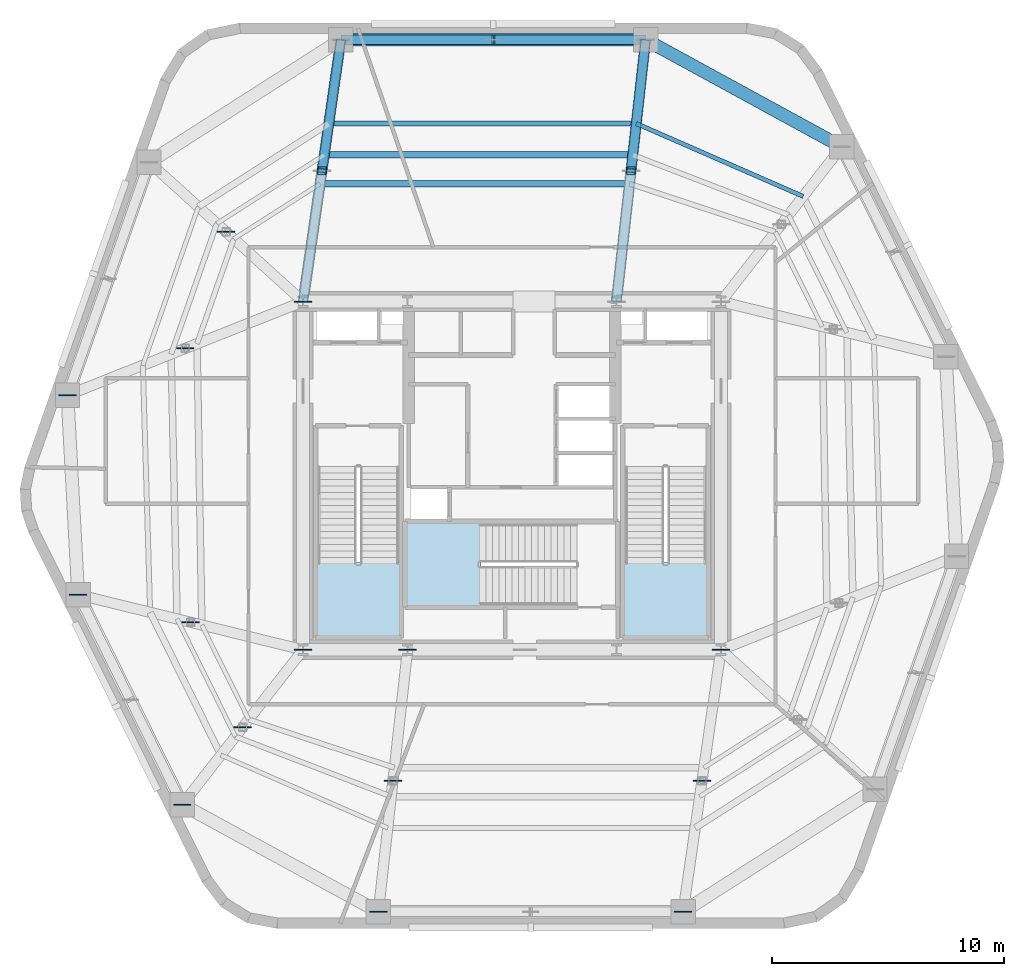
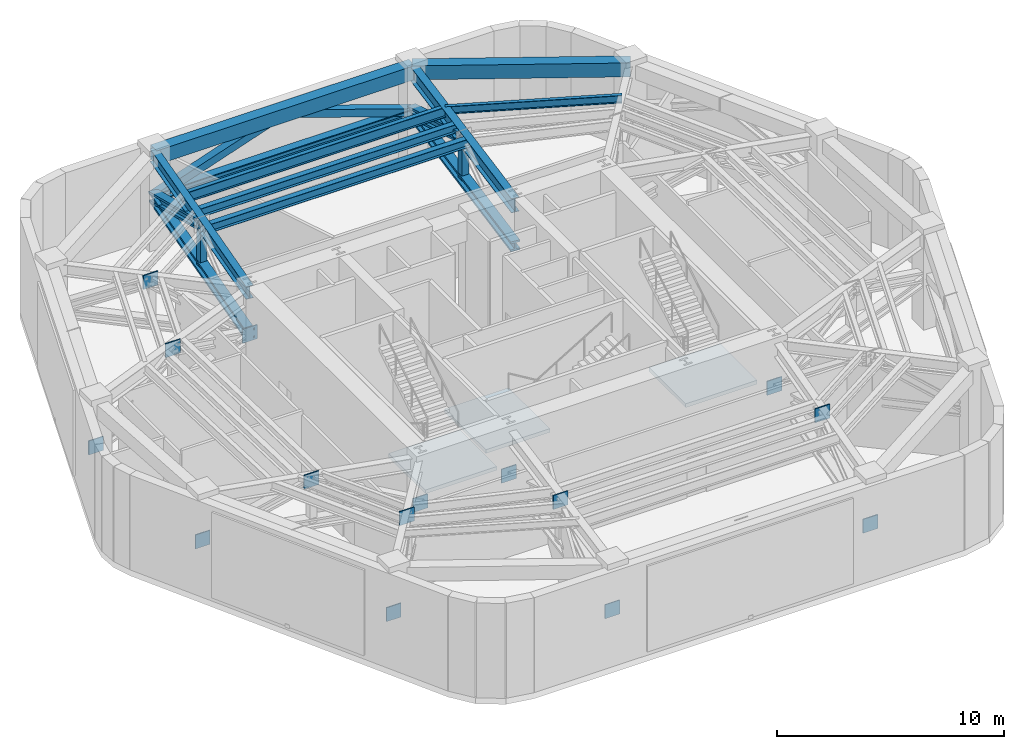
# One storey, part 4 of 10: 15 plates, 9 members, 8 beams, 3 slabs, 3 elements without a shape of their own.
"""IFC4 building model written with IfcOpenShell, lengths in metres."""

from ifc_helpers import new_model, si_unit, direction, frame, origin, origin_2d, place, context, subcontext, project, spatial, polyline, rectangle, hollow_rectangle, i_section, outline, extrude, material, layer, layer_set, material_profile, profile_set, type_object, element, aggregate, save


model = new_model("IFC4")

# Units and contexts
model_context = context("Model", 3, precision=1e-05, world=origin(), true_north=direction((0.0, 1.0)))
body_context = subcontext(model_context, "Body", "Model", "MODEL_VIEW")
ifc_project = project(units=[si_unit("LENGTHUNIT", "METRE"), si_unit("AREAUNIT", "SQUARE_METRE"), si_unit("VOLUMEUNIT", "CUBIC_METRE"), si_unit("PLANEANGLEUNIT", "RADIAN"), si_unit("MASSUNIT", "GRAM", prefix="KILO")], contexts=[model_context])

# Site, building, storey
site_placement = place(None, origin())
site = spatial("IfcSite", under=ifc_project, at=site_placement, CompositionType="ELEMENT")
building_placement = place(site_placement, origin())
building = spatial("IfcBuilding", under=site, at=building_placement, Name="Kilnhurst Terrace Hotel", CompositionType="ELEMENT")
storey_placement = place(building_placement, frame((0.0, 0.0, 170.199951171875)))
storey = spatial("IfcBuildingStorey", under=building, at=storey_placement, Name="L42", CompositionType="ELEMENT", Elevation=170.199951171875)

# Beams
ifc_material_1 = material(Name="Concrete C50/60", Category="concrete")
ifc_material_profile_1 = material_profile(ifc_material_1, rectangle(XDim=0.550048828125, YDim=0.75, at=origin_2d()), Name="RC550X750")
ifc_profile_set_1 = profile_set([ifc_material_profile_1], Name="Concrete C50/60")
beam_type_1 = type_object("IfcBeamType", Name="BM-SPN-550X750", PredefinedType="SPANDREL", material=ifc_profile_set_1)
beam_1_placement = place(storey_placement, frame((14.2041015625, 14.166015625, 4.72509765625), z_axis=(-0.87766189723, 0.479280287672, 0.0), x_axis=(-0.479280287672, -0.87766189723, 0.0)))
element("IfcBeam", 1, at=beam_1_placement, inside=storey, type_object=beam_type_1, Name="L42 Perimeter Spandrel Beam 6", PredefinedType="SPANDREL", context=body_context, shape_type="SweptSolid", body=[
    extrude(rectangle(XDim=0.550048828125, YDim=0.75, at=origin_2d()), origin(), (0.0, 0.0, 1.0), 9.626953125),
])
beam_2_placement = place(storey_placement, frame((5.7548828125, 18.780029296875, 4.72509765625), z_axis=(-1.0, 0.0, 0.0), x_axis=(0.0, -1.0, 0.0)))
element("IfcBeam", 2, at=beam_2_placement, inside=storey, type_object=beam_type_1, Name="L42 Perimeter Spandrel Beam 7", PredefinedType="SPANDREL", context=body_context, shape_type="SweptSolid", body=[
    extrude(rectangle(XDim=0.550048828125, YDim=0.75, at=origin_2d()), origin(), (0.0, 0.0, 1.0), 13.123779296875),
])
ifc_material_2 = material(Name="Steel ASTM A992 Grade 50", Category="steel")
ifc_material_profile_2 = material_profile(ifc_material_2, i_section(OverallWidth=0.354736328125, OverallDepth=0.695556640625, WebThickness=0.015380859375, FlangeThickness=0.025146484375, at=origin_2d()), Name="W27X146")
ifc_profile_set_2 = profile_set([ifc_material_profile_2], Name="Steel ASTM A992 Grade 50")
beam_type_2 = type_object("IfcBeamType", Name="BM-STL-W27X146", PredefinedType="BEAM", material=ifc_profile_set_2)
beam_3_placement = place(storey_placement, frame((-9.0, 7.5, 4.751953125), z_axis=(0.143112538238, 0.989706421824, 0.0), x_axis=(-0.989706421824, 0.143112538238, 0.0)))
element("IfcBeam", 3, at=beam_3_placement, inside=storey, type_object=beam_type_2, Name="L42 Radial Floor Beam 8", PredefinedType="BEAM", context=body_context, shape_type="SweptSolid", body=[
    extrude(i_section(OverallWidth=0.354736328125, OverallDepth=0.695556640625, WebThickness=0.015380859375, FlangeThickness=0.025146484375, at=origin_2d()), origin(), (0.0, 0.0, 1.0), 11.3974609375),
])
ifc_material_profile_3 = material_profile(ifc_material_2, i_section(OverallWidth=0.380615234375, OverallDepth=0.773193359375, WebThickness=0.0166015625, FlangeThickness=0.027099609375, at=origin_2d()), Name="W30X173")
ifc_profile_set_3 = profile_set([ifc_material_profile_3], Name="Steel ASTM A992 Grade 50")
beam_type_3 = type_object("IfcBeamType", Name="BM-STL-W30X173", PredefinedType="BEAM", material=ifc_profile_set_3)
beam_4_placement = place(storey_placement, frame((4.5, 7.5, 4.713134765625), z_axis=(0.110566099441, 0.993868772854, 0.0), x_axis=(-0.993868772854, 0.110566099441, 0.0)))
element("IfcBeam", 4, at=beam_4_placement, inside=storey, type_object=beam_type_3, Name="L42 Radial Floor Beam 7", PredefinedType="BEAM", context=body_context, shape_type="SweptSolid", body=[
    extrude(i_section(OverallWidth=0.380615234375, OverallDepth=0.773193359375, WebThickness=0.0166015625, FlangeThickness=0.027099609375, at=origin_2d()), origin(), (0.0, 0.0, 1.0), 11.349609375),
])
ifc_material_profile_4 = material_profile(ifc_material_2, i_section(OverallWidth=0.180908203125, OverallDepth=0.417236328125, WebThickness=0.010986328125, FlangeThickness=0.018310546875, at=origin_2d()), Name="W16X57")
ifc_profile_set_4 = profile_set([ifc_material_profile_4], Name="Steel ASTM A992 Grade 50")
beam_type_4 = type_object("IfcBeamType", Name="JST-STL-W16X57", PredefinedType="JOIST", material=ifc_profile_set_4)
beam_5_placement = place(storey_placement, frame((12.538818359375, 12.032958984375, 4.89111328125), z_axis=(-0.916443679054, 0.400163695407, 0.0), x_axis=(-0.400163695407, -0.916443679054, 0.0)))
element("IfcBeam", 5, at=beam_5_placement, inside=storey, type_object=beam_type_4, Name="L42 Secondary Floor Steel Joist OUT.6", PredefinedType="JOIST", context=body_context, shape_type="SweptSolid", body=[
    extrude(i_section(OverallWidth=0.180908203125, OverallDepth=0.417236328125, WebThickness=0.010986328125, FlangeThickness=0.018310546875, at=origin_2d()), origin(), (0.0, 0.0, 1.0), 7.84033203125),
])
ifc_material_profile_5 = material_profile(ifc_material_2, i_section(OverallWidth=0.279296875, OverallDepth=0.462890625, WebThickness=0.0107421875, FlangeThickness=0.017333984375, at=origin_2d()), Name="W18X76")
ifc_profile_set_5 = profile_set([ifc_material_profile_5], Name="Steel ASTM A992 Grade 50")
beam_type_5 = type_object("IfcBeamType", Name="JST-STL-W18X76", PredefinedType="JOIST", material=ifc_profile_set_5)
beam_6_placement = place(storey_placement, frame((5.064697265625, 12.575927734375, 4.8681640625), z_axis=(-1.0, 0.0, 0.0), x_axis=(0.0, -1.0, 0.0)))
element("IfcBeam", 6, at=beam_6_placement, inside=storey, type_object=beam_type_5, Name="L42 Secondary Floor Steel Joist IN.7", PredefinedType="JOIST", context=body_context, shape_type="SweptSolid", body=[
    extrude(i_section(OverallWidth=0.279296875, OverallDepth=0.462890625, WebThickness=0.0107421875, FlangeThickness=0.017333984375, at=origin_2d()), origin(), (0.0, 0.0, 1.0), 13.330810546875),
])
beam_7_placement = place(storey_placement, frame((5.202880859375, 13.81689453125, 4.8681640625), z_axis=(-1.0, 0.0, 0.0), x_axis=(0.0, -1.0, 0.0)))
element("IfcBeam", 7, at=beam_7_placement, inside=storey, type_object=beam_type_5, Name="L42 Secondary Floor Steel Joist MID.7", PredefinedType="JOIST", context=body_context, shape_type="SweptSolid", body=[
    extrude(i_section(OverallWidth=0.279296875, OverallDepth=0.462890625, WebThickness=0.0107421875, FlangeThickness=0.017333984375, at=origin_2d()), origin(), (0.0, 0.0, 1.0), 13.28955078125),
])
ifc_material_profile_6 = material_profile(ifc_material_2, i_section(OverallWidth=0.2138671875, OverallDepth=0.549072265625, WebThickness=0.0146484375, FlangeThickness=0.023681640625, at=origin_2d()), Name="W21X93")
ifc_profile_set_6 = profile_set([ifc_material_profile_6], Name="Steel ASTM A992 Grade 50")
beam_type_6 = type_object("IfcBeamType", Name="JST-STL-W21X93", PredefinedType="JOIST", material=ifc_profile_set_6)
beam_8_placement = place(storey_placement, frame((5.353515625, 15.17041015625, 4.824951171875), z_axis=(-1.0, 0.0, 0.0), x_axis=(0.0, -1.0, 0.0)))
element("IfcBeam", 8, at=beam_8_placement, inside=storey, type_object=beam_type_6, Name="L42 Secondary Floor Steel Joist OUT.7", PredefinedType="JOIST", context=body_context, shape_type="SweptSolid", body=[
    extrude(i_section(OverallWidth=0.2138671875, OverallDepth=0.549072265625, WebThickness=0.0146484375, FlangeThickness=0.023681640625, at=origin_2d()), origin(), (0.0, 0.0, 1.0), 13.244384765625),
])

# Members
ifc_material_3 = material(Name="Steel ASTM A500 Grade C", Category="steel")
ifc_material_profile_7 = material_profile(ifc_material_3, hollow_rectangle(XDim=0.39990234375, YDim=0.39990234375, WallThickness=0.01611328125, at=origin_2d()), Name="HSS400X400X16")
ifc_profile_set_7 = profile_set([ifc_material_profile_7], Name="Steel ASTM A500 Grade C")
member_type_1 = type_object("IfcMemberType", Name="MEM-BLT-HSS-400", PredefinedType="BRACE", material=ifc_profile_set_7)
member_1_placement = place(storey_placement, frame((5.7548828125, 18.780029296875, 2.52001953125), z_axis=(-0.946817613488, 0.0, 0.321770736377), x_axis=(0.0, -1.0, 0.0)))
element("IfcMember", 9, at=member_1_placement, inside=storey, type_object=member_type_1, Name="L42 Belt Truss Left Diagonal 4", PredefinedType="BRACE", context=body_context, shape_type="SweptSolid", body=[
    extrude(hollow_rectangle(XDim=0.39990234375, YDim=0.39990234375, WallThickness=0.01611328125, at=origin_2d()), origin(), (0.0, 0.0, 1.0), 6.930419921875),
])
member_2_placement = place(storey_placement, frame((-7.368896484375, 18.780029296875, 2.52001953125), z_axis=(0.946821260666, 0.0, 0.321760004276), x_axis=(0.0, 1.0, 0.0)))
element("IfcMember", 10, at=member_2_placement, inside=storey, type_object=member_type_1, Name="L42 Belt Truss Right Diagonal 4", PredefinedType="BRACE", context=body_context, shape_type="SweptSolid", body=[
    extrude(hollow_rectangle(XDim=0.39990234375, YDim=0.39990234375, WallThickness=0.01611328125, at=origin_2d()), origin(), (0.0, 0.0, 1.0), 6.9306640625),
])
ifc_material_profile_8 = material_profile(ifc_material_2, i_section(OverallWidth=0.40625, OverallDepth=0.416015625, WebThickness=0.02978515625, FlangeThickness=0.048095703125, at=origin_2d()), Name="W14X257")
ifc_profile_set_8 = profile_set([ifc_material_profile_8], Name="Steel ASTM A992 Grade 50")
member_type_2 = type_object("IfcMemberType", Name="MEM-CHD-W14X257", PredefinedType="CHORD", material=ifc_profile_set_8)
member_3_placement = place(storey_placement, frame((5.7548828125, 18.780029296875, 2.52001953125), z_axis=(-1.0, 0.0, 0.0), x_axis=(0.0, -1.0, 0.0)))
element("IfcMember", 11, at=member_3_placement, inside=storey, type_object=member_type_2, Name="L42 Belt Truss Bottom Chord 4", PredefinedType="CHORD", context=body_context, shape_type="SweptSolid", body=[
    extrude(i_section(OverallWidth=0.40625, OverallDepth=0.416015625, WebThickness=0.02978515625, FlangeThickness=0.048095703125, at=origin_2d()), origin(), (0.0, 0.0, 1.0), 13.123779296875),
])
ifc_material_profile_9 = material_profile(ifc_material_2, i_section(OverallWidth=0.44189453125, OverallDepth=0.531494140625, WebThickness=0.06591796875, FlangeThickness=0.105712890625, at=origin_2d()), Name="W14X605")
ifc_profile_set_9 = profile_set([ifc_material_profile_9], Name="Steel ASTM A992 Grade 50")
member_type_3 = type_object("IfcMemberType", Name="MEM-CHD-W14X605", PredefinedType="CHORD", material=ifc_profile_set_9)
member_4_placement = place(storey_placement, frame((4.5, 7.5, 2.52001953125), z_axis=(0.110566099441, 0.993868772854, 0.0), x_axis=(-0.993868772854, 0.110566099441, 0.0)))
element("IfcMember", 12, at=member_4_placement, inside=storey, type_object=member_type_3, Name="L42 Outrigger Bottom Chord 7", PredefinedType="CHORD", context=body_context, shape_type="SweptSolid", body=[
    extrude(i_section(OverallWidth=0.44189453125, OverallDepth=0.531494140625, WebThickness=0.06591796875, FlangeThickness=0.105712890625, at=origin_2d()), origin(), (0.0, 0.0, 1.0), 11.349609375),
])
member_5_placement = place(storey_placement, frame((-9.0, 7.5, 2.52001953125), z_axis=(0.143112538238, 0.989706421824, 0.0), x_axis=(-0.989706421824, 0.143112538238, 0.0)))
element("IfcMember", 13, at=member_5_placement, inside=storey, type_object=member_type_3, Name="L42 Outrigger Bottom Chord 8", PredefinedType="CHORD", context=body_context, shape_type="SweptSolid", body=[
    extrude(i_section(OverallWidth=0.44189453125, OverallDepth=0.531494140625, WebThickness=0.06591796875, FlangeThickness=0.105712890625, at=origin_2d()), origin(), (0.0, 0.0, 1.0), 11.3974609375),
])
ifc_material_profile_10 = material_profile(ifc_material_2, i_section(OverallWidth=0.44189453125, OverallDepth=0.531494140625, WebThickness=0.06591796875, FlangeThickness=0.105712890625, at=origin_2d()), Name="W14X605")
ifc_profile_set_10 = profile_set([ifc_material_profile_10], Name="Steel ASTM A992 Grade 50")
member_type_4 = type_object("IfcMemberType", Name="MEM-OTR-DIAG-605", PredefinedType="BRACE", material=ifc_profile_set_10)
member_6_placement = place(storey_placement, frame((5.126953125, 13.139892578125, 4.75), z_axis=(0.102983237325, 0.925007289533, -0.365726628975), x_axis=(-0.993859577489, 0.110648724496, 0.0)))
element("IfcMember", 14, at=member_6_placement, inside=storey, type_object=member_type_4, Name="L42 Outrigger Outer Diagonal 7", PredefinedType="BRACE", context=body_context, shape_type="SweptSolid", body=[
    extrude(i_section(OverallWidth=0.44189453125, OverallDepth=0.531494140625, WebThickness=0.06591796875, FlangeThickness=0.105712890625, at=origin_2d()), origin(), (0.0, 0.0, 1.0), 6.097412109375),
])
member_7_placement = place(storey_placement, frame((-8.18408203125, 13.139892578125, 4.75), z_axis=(0.13321077617, 0.9216637769, -0.364404680902), x_axis=(-0.989715960333, 0.143046558374, 0.0)))
element("IfcMember", 15, at=member_7_placement, inside=storey, type_object=member_type_4, Name="L42 Outrigger Outer Diagonal 8", PredefinedType="BRACE", context=body_context, shape_type="SweptSolid", body=[
    extrude(i_section(OverallWidth=0.44189453125, OverallDepth=0.531494140625, WebThickness=0.06591796875, FlangeThickness=0.105712890625, at=origin_2d()), origin(), (0.0, 0.0, 1.0), 6.11962890625),
])
ifc_material_profile_11 = material_profile(ifc_material_3, hollow_rectangle(XDim=0.35009765625, YDim=0.35009765625, WallThickness=0.01611328125, at=origin_2d()), Name="HSS350X350X16")
ifc_profile_set_11 = profile_set([ifc_material_profile_11], Name="Steel ASTM A500 Grade C")
member_type_5 = type_object("IfcMemberType", Name="MEM-STR-HSS350", PredefinedType="STRUT", material=ifc_profile_set_11)
for number, where, z_axis, x_axis, name in (
    (16, (5.126953125, 13.139892578125, 2.52001953125), (0.0, 0.0, 1.0), (1.0, 0.0, 0.0), "L42 Outrigger Web Post 7"),
    (17, (-8.18408203125, 13.139892578125, 2.52001953125), (0.0, 0.0, 1.0), (1.0, 0.0, 0.0), "L42 Outrigger Web Post 8"),
):
    element("IfcMember", number, at=place(storey_placement, frame(where, z_axis=z_axis, x_axis=x_axis)), inside=storey, type_object=member_type_5, Name=name, PredefinedType="STRUT", context=body_context, shape_type="SweptSolid", body=[
        extrude(hollow_rectangle(XDim=0.35009765625, YDim=0.35009765625, WallThickness=0.01611328125, at=origin_2d()), origin(), (0.0, 0.0, 1.0), 2.22998046875),
    ])

# Plates
ifc_material_4 = material(Name="Steel ASTM A572 Grade 50", Category="steel")
ifc_layer_1 = layer(ifc_material_4, 0.050048828125, Name="Steel ASTM A572 Grade 50")
ifc_layer_set_1 = layer_set([ifc_layer_1], Name="Steel ASTM A572 Grade 50")
plate_type = type_object("IfcPlateType", Name="PLT-GUSSET-50", PredefinedType="USERDEFINED", material=ifc_layer_set_1)
for number, where, z_axis, x_axis, name in (
    (18, (-4.5, -7.5, 2.14501953125), (0.0, 0.0, 1.0), (1.0, 0.0, 0.0), "L42 Outrigger Node Gusset Plate KN-CORE-1"),
    (19, (-5.126953125, -13.139892578125, 4.375), (0.0, 0.0, 1.0), (1.0, 0.0, 0.0), "L42 Outrigger Node Gusset Plate KN-MID-1"),
    (20, (-5.7548828125, -18.780029296875, 2.14501953125), (0.0, 0.0, 1.0), (1.0, 0.0, 0.0), "L42 Outrigger Node Gusset Plate KN-PERIM-1"),
    (21, (9.0, -7.5, 2.14501953125), (0.0, 0.0, 1.0), (1.0, 0.0, 0.0), "L42 Outrigger Node Gusset Plate KN-CORE-2"),
    (22, (8.18408203125, -13.139892578125, 4.375), (0.0, 0.0, 1.0), (1.0, 0.0, 0.0), "L42 Outrigger Node Gusset Plate KN-MID-2"),
    (23, (7.368896484375, -18.780029296875, 2.14501953125), (0.0, 0.0, 1.0), (1.0, 0.0, 0.0), "L42 Outrigger Node Gusset Plate KN-PERIM-2"),
    (24, (-9.0, 7.5, 2.14501953125), (0.0, 0.0, 1.0), (1.0, 0.0, 0.0), "L42 Outrigger Node Gusset Plate KN-CORE-8"),
    (25, (-12.31591796875, 10.5029296875, 4.375), (0.0, 0.0, 1.0), (1.0, 0.0, 0.0), "L42 Outrigger Node Gusset Plate KN-MID-9"),
    (26, (-14.073974609375, 5.48388671875, 4.375), (0.0, 0.0, 1.0), (1.0, 0.0, 0.0), "L42 Outrigger Node Gusset Plate KN-MID-10"),
    (27, (-19.14794921875, 3.467041015625, 2.14501953125), (0.0, 0.0, 1.0), (1.0, 0.0, 0.0), "L42 Outrigger Node Gusset Plate KN-PERIM-10"),
    (28, (-9.0, -7.5, 2.14501953125), (0.0, 0.0, 1.0), (1.0, 0.0, 0.0), "L42 Outrigger Node Gusset Plate KN-CORE-11"),
    (29, (-13.843994140625, -6.31201171875, 4.375), (0.0, 0.0, 1.0), (1.0, 0.0, 0.0), "L42 Outrigger Node Gusset Plate KN-MID-11"),
    (30, (-18.68701171875, -5.1240234375, 2.14501953125), (0.0, 0.0, 1.0), (1.0, 0.0, 0.0), "L42 Outrigger Node Gusset Plate KN-PERIM-11"),
    (31, (-11.60205078125, -10.8330078125, 4.375), (0.0, 0.0, 1.0), (1.0, 0.0, 0.0), "L42 Outrigger Node Gusset Plate KN-MID-12"),
    (32, (-14.2041015625, -14.166015625, 2.14501953125), (0.0, 0.0, 1.0), (1.0, 0.0, 0.0), "L42 Outrigger Node Gusset Plate KN-PERIM-12"),
):
    element("IfcPlate", number, at=place(storey_placement, frame(where, z_axis=z_axis, x_axis=x_axis)), inside=storey, type_object=plate_type, Name=name, ObjectType="GUSSET_PLATE", PredefinedType="USERDEFINED", context=body_context, shape_type="SweptSolid", body=[
        extrude(rectangle(XDim=0.75, YDim=0.050048828125, at=origin_2d()), origin(), (0.0, 0.0, 1.0), 0.75),
    ])

# Stair, slab
stair_type = type_object("IfcStairType", Name="STR-CORE-1660", PredefinedType="HALF_TURN_STAIR", material=ifc_material_1)
stair_1_placement = place(storey_placement, origin())
stair_1 = element("IfcStair", 33, at=stair_1_placement, inside=storey, type_object=stair_type, Name="L42 ST-1", PredefinedType="HALF_TURN_STAIR")
ifc_layer_2 = layer(ifc_material_1, 0.199951171875, Name="Concrete C50/60")
ifc_layer_set_2 = layer_set([ifc_layer_2], Name="Concrete C50/60")
slab_type = type_object("IfcSlabType", Name="SLB-ST-LND-200", PredefinedType="LANDING", material=ifc_layer_set_2)
slab_1_placement = place(storey_placement, frame((0.0, 0.0, 2.5)))
slab_1 = element("IfcSlab", 34, at=slab_1_placement, type_object=slab_type, Name="ST-1 landing 1", PredefinedType="LANDING", context=body_context, shape_type="SweptSolid", body=[
    extrude(outline(polyline([(-8.429931640625, -3.72998046875), (-4.800048828125, -3.72998046875), (-4.800048828125, -6.97998046875), (-8.429931640625, -6.97998046875), (-8.429931640625, -3.72998046875)])), origin(), (0.0, 0.0, 1.0), 0.199951171875),
])
aggregate(stair_1, [slab_1])

stair_2_placement = place(storey_placement, origin())
stair_2 = element("IfcStair", 35, at=stair_2_placement, inside=storey, type_object=stair_type, Name="L42 ST-2", PredefinedType="HALF_TURN_STAIR")
slab_2_placement = place(storey_placement, frame((0.0, 0.0, 2.5)))
slab_2 = element("IfcSlab", 36, at=slab_2_placement, type_object=slab_type, Name="ST-2 landing 1", PredefinedType="LANDING", context=body_context, shape_type="SweptSolid", body=[
    extrude(outline(polyline([(4.800048828125, -3.72998046875), (8.429931640625, -3.72998046875), (8.429931640625, -6.97998046875), (4.800048828125, -6.97998046875), (4.800048828125, -3.72998046875)])), origin(), (0.0, 0.0, 1.0), 0.199951171875),
])
aggregate(stair_2, [slab_2])

stair_3_placement = place(storey_placement, origin())
stair_3 = element("IfcStair", 37, at=stair_3_placement, inside=storey, type_object=stair_type, Name="L42 ST-3", PredefinedType="HALF_TURN_STAIR")
slab_3_placement = place(storey_placement, frame((0.0, 0.0, 2.5)))
slab_3 = element("IfcSlab", 38, at=slab_3_placement, type_object=slab_type, Name="ST-3 landing 1", PredefinedType="LANDING", context=body_context, shape_type="SweptSolid", body=[
    extrude(outline(polyline([(-1.330078125, -2.0), (-1.330078125, -5.6298828125), (-4.580078125, -5.6298828125), (-4.580078125, -2.0), (-1.330078125, -2.0)])), origin(), (0.0, 0.0, 1.0), 0.199951171875),
])
aggregate(stair_3, [slab_3])

save(model, "model.ifc")
